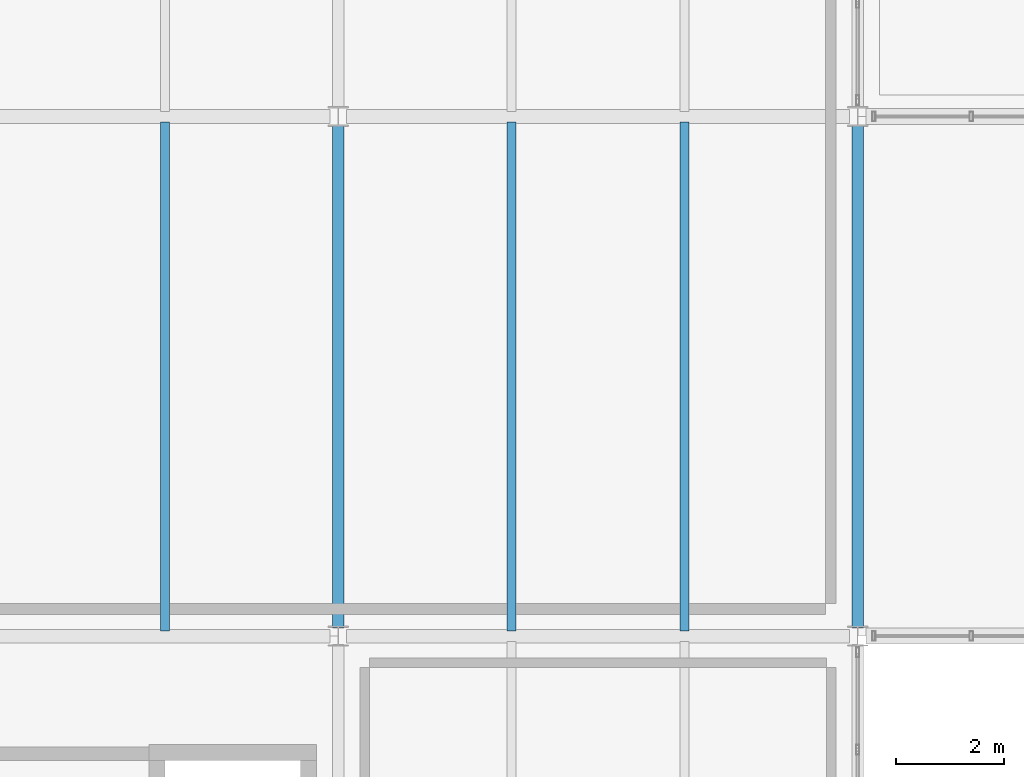
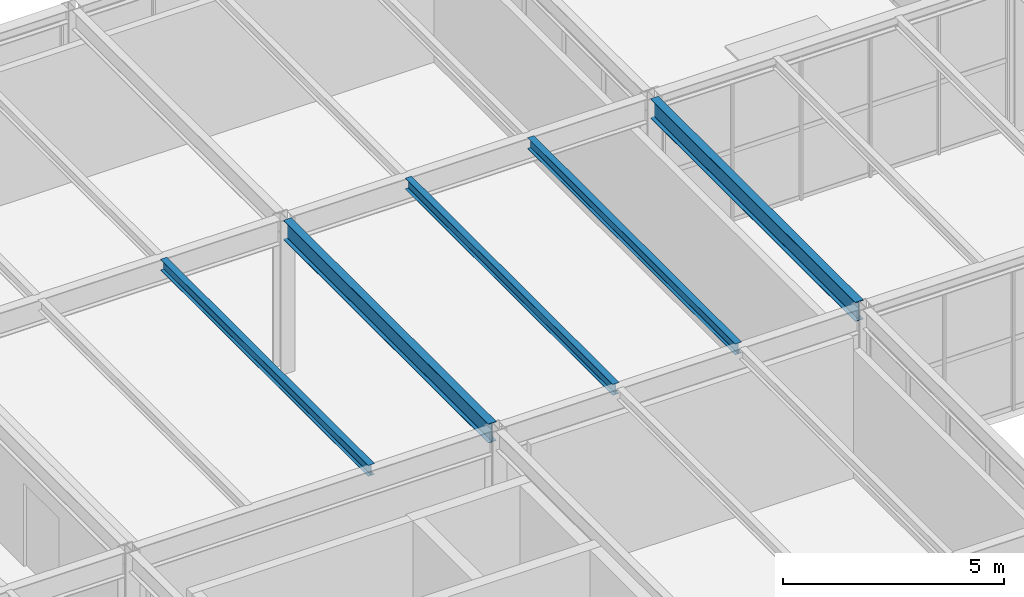
# One storey, part 43 of 170: 5 beams.
"""IFC4 building model written with IfcOpenShell, lengths in metres."""

from ifc_helpers import new_model, si_unit, direction, frame, origin, origin_2d, place, context, subcontext, project, spatial, i_section, extrude, material, material_profile, profile_set, type_object, element, save


model = new_model("IFC4")

# Units and contexts
model_context = context("Model", 3, precision=1e-05, world=origin(), true_north=direction((0.0, 1.0)))
body_context = subcontext(model_context, "Body", "Model", "MODEL_VIEW")
ifc_project = project(units=[si_unit("LENGTHUNIT", "METRE"), si_unit("AREAUNIT", "SQUARE_METRE"), si_unit("VOLUMEUNIT", "CUBIC_METRE"), si_unit("PLANEANGLEUNIT", "RADIAN"), si_unit("MASSUNIT", "GRAM", prefix="KILO")], contexts=[model_context])

# Site, building, storey
site_placement = place(None, origin())
site = spatial("IfcSite", under=ifc_project, at=site_placement, CompositionType="ELEMENT")
building_placement = place(site_placement, origin())
building = spatial("IfcBuilding", under=site, at=building_placement, Name="Coralgate Yard Interchange", CompositionType="ELEMENT")
storey_placement = place(building_placement, frame((0.0, 0.0, 6.0)))
storey = spatial("IfcBuildingStorey", under=building, at=storey_placement, Name="L01", CompositionType="ELEMENT", Elevation=6.0)

# Beams
ifc_material = material(Name="Structural steel S355J2", Category="steel")
ifc_material_profile_1 = material_profile(ifc_material, i_section(OverallWidth=0.209228515625, OverallDepth=0.533203125, WebThickness=0.010009765625, FlangeThickness=0.015625, FilletRadius=0.0126953125, at=origin_2d()), Name="UB 533x210x92")
ifc_profile_set_1 = profile_set([ifc_material_profile_1], Name="Structural steel S355J2")
beam_type_1 = type_object("IfcBeamType", Name="BM-SB-1", PredefinedType="BEAM", material=ifc_profile_set_1)
for number, where, z_axis, x_axis, name in (
    (1, (19.199951171875, 38.55419921875, 3.9833984375), (0.0, 1.0, 0.0), (-1.0, 0.0, 0.0), "L01 primary grid girder X2 Y4-5"),
    (2, (28.800048828125, 38.55419921875, 3.9833984375), (0.0, 1.0, 0.0), (-1.0, 0.0, 0.0), "L01 primary grid girder X3 Y4-5"),
):
    element("IfcBeam", number, at=place(storey_placement, frame(where, z_axis=z_axis, x_axis=x_axis)), inside=storey, type_object=beam_type_1, Name=name, PredefinedType="BEAM", context=body_context, shape_type="SweptSolid", body=[
        extrude(i_section(OverallWidth=0.209228515625, OverallDepth=0.533203125, WebThickness=0.010009765625, FlangeThickness=0.015625, FilletRadius=0.0126953125, at=origin_2d()), origin(), (0.0, 0.0, 1.0), 9.291748046875),
    ])
ifc_material_profile_2 = material_profile(ifc_material, i_section(OverallWidth=0.1650390625, OverallDepth=0.303466796875, WebThickness=0.006103515625, FlangeThickness=0.01025390625, FilletRadius=0.0087890625, at=origin_2d()), Name="UB 305x165x40")
ifc_profile_set_2 = profile_set([ifc_material_profile_2], Name="Structural steel S355J2")
beam_type_2 = type_object("IfcBeamType", Name="BM-SJ-1", PredefinedType="JOIST", material=ifc_profile_set_2)
for number, where, z_axis, x_axis, name in (
    (3, (16.0, 38.496826171875, 4.098388671875), (0.0, 1.0, 0.0), (-1.0, 0.0, 0.0), "L01 composite floor joist 1-4-2"),
    (4, (22.39990234375, 38.496826171875, 4.098388671875), (0.0, 1.0, 0.0), (-1.0, 0.0, 0.0), "L01 composite floor joist 2-4-1"),
    (5, (25.60009765625, 38.496826171875, 4.098388671875), (0.0, 1.0, 0.0), (-1.0, 0.0, 0.0), "L01 composite floor joist 2-4-2"),
):
    element("IfcBeam", number, at=place(storey_placement, frame(where, z_axis=z_axis, x_axis=x_axis)), inside=storey, type_object=beam_type_2, Name=name, PredefinedType="JOIST", context=body_context, shape_type="SweptSolid", body=[
        extrude(i_section(OverallWidth=0.1650390625, OverallDepth=0.303466796875, WebThickness=0.006103515625, FlangeThickness=0.01025390625, FilletRadius=0.0087890625, at=origin_2d()), origin(), (0.0, 0.0, 1.0), 9.40625),
    ])

save(model, "model.ifc")
